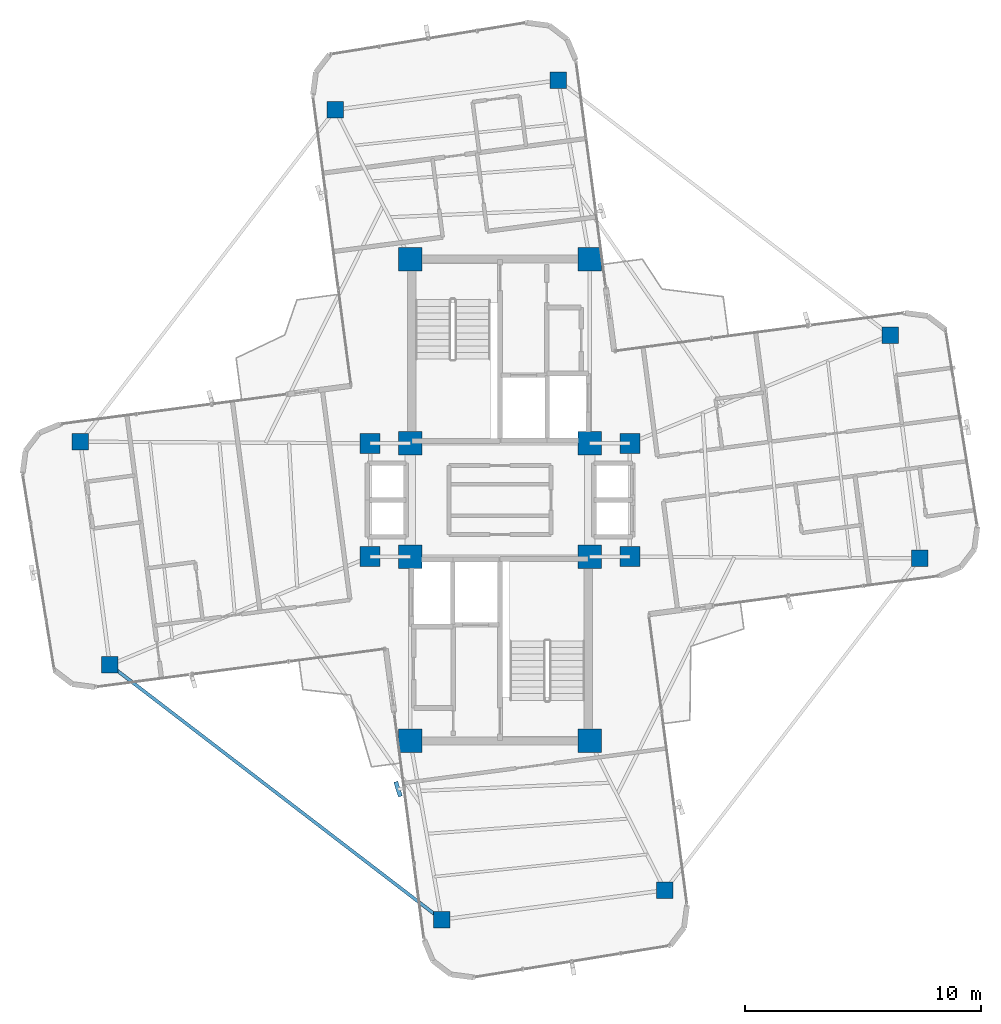
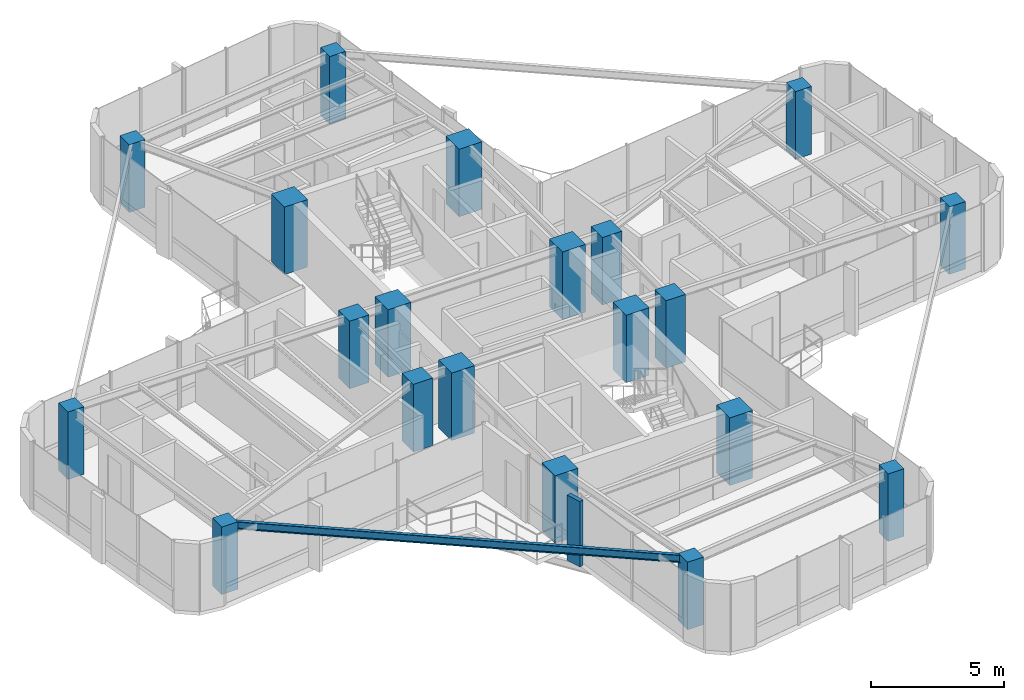
# One storey, part 1 of 22: 20 columns, 1 beam, 1 member, 1 element without a shape of its own.
"""IFC4 building model written with IfcOpenShell, lengths in metres."""

from ifc_helpers import new_model, si_unit, direction, frame, origin, origin_2d, place, context, subcontext, project, spatial, rectangle, i_section, extrude, source, transform, mapped, material, material_profile, profile_set, type_object, element, aggregate, save


model = new_model("IFC4")

# Units and contexts
model_context = context("Model", 3, precision=1e-05, world=origin(), true_north=direction((0.0, 1.0)))
body_context = subcontext(model_context, "Body", "Model", "MODEL_VIEW")
ifc_project = project(units=[si_unit("LENGTHUNIT", "METRE"), si_unit("AREAUNIT", "SQUARE_METRE"), si_unit("VOLUMEUNIT", "CUBIC_METRE"), si_unit("PLANEANGLEUNIT", "RADIAN"), si_unit("MASSUNIT", "GRAM", prefix="KILO")], contexts=[model_context])

# Site, building, storey
site_placement = place(None, origin())
site = spatial("IfcSite", under=ifc_project, at=site_placement, CompositionType="ELEMENT")
building_placement = place(site_placement, origin())
building = spatial("IfcBuilding", under=site, at=building_placement, Name="Sahyath Konkavel Grand Hotel", CompositionType="ELEMENT")
storey_placement = place(building_placement, frame((0.0, 0.0, 244.5)))
storey = spatial("IfcBuildingStorey", under=building, at=storey_placement, Name="L68", CompositionType="ELEMENT", Elevation=244.5)

# Columns
ifc_material_1 = material(Name="Concrete C50/60", Category="concrete")
ifc_material_profile_1 = material_profile(ifc_material_1, rectangle(XDim=1.0, YDim=1.0, at=origin_2d()), Name="RC 1000x1000")
ifc_profile_set_1 = profile_set([ifc_material_profile_1], Name="Concrete C50/60")
column_type_1 = type_object("IfcColumnType", Name="COL-RC1000", PredefinedType="COLUMN", material=ifc_profile_set_1)
shared_shape_1 = source(origin(), body_context, "Body", "SweptSolid", [
    extrude(rectangle(XDim=1.0, YDim=1.0, at=origin_2d()), origin(), (0.0, 0.0, 1.0), 3.110107421875),
])
for number, where, z_axis, x_axis, name in (
    (1, (-3.800048828125, 2.39990234375, 0.0), (0.0, 0.0, 1.0), (1.0, 0.0, 0.0), "L68 Core Boundary Column NC-SW"),
    (2, (3.800048828125, 2.39990234375, 0.0), (0.0, 0.0, 1.0), (1.0, 0.0, 0.0), "L68 Core Boundary Column NC-SE"),
    (3, (-3.800048828125, 10.199951171875, 0.0), (0.0, 0.0, 1.0), (1.0, 0.0, 0.0), "L68 Core Boundary Column NC-NW"),
    (4, (3.800048828125, 10.199951171875, 0.0), (0.0, 0.0, 1.0), (1.0, 0.0, 0.0), "L68 Core Boundary Column NC-NE"),
    (5, (-3.800048828125, -2.39990234375, 0.0), (0.0, 0.0, 1.0), (1.0, 0.0, 0.0), "L68 Core Boundary Column SC-NW"),
    (6, (3.800048828125, -2.39990234375, 0.0), (0.0, 0.0, 1.0), (1.0, 0.0, 0.0), "L68 Core Boundary Column SC-NE"),
    (7, (-3.800048828125, -10.199951171875, 0.0), (0.0, 0.0, 1.0), (1.0, 0.0, 0.0), "L68 Core Boundary Column SC-SW"),
    (8, (3.800048828125, -10.199951171875, 0.0), (0.0, 0.0, 1.0), (1.0, 0.0, 0.0), "L68 Core Boundary Column SC-SE"),
):
    element("IfcColumn", number, at=place(storey_placement, frame(where, z_axis=z_axis, x_axis=x_axis)), inside=storey, type_object=column_type_1, Name=name, PredefinedType="COLUMN", context=body_context, shape_type="MappedRepresentation", body=[
        mapped(shared_shape_1, transform((0.0, 0.0, 0.0), scale=1.0)),
    ])
ifc_material_2 = material(Name="Concrete C40/50", Category="concrete")
ifc_material_profile_2 = material_profile(ifc_material_2, rectangle(XDim=0.85009765625, YDim=0.85009765625, at=origin_2d()), Name="RC 850x850")
ifc_profile_set_2 = profile_set([ifc_material_profile_2], Name="Concrete C40/50")
column_type_2 = type_object("IfcColumnType", Name="COL-RC850", PredefinedType="COLUMN", material=ifc_profile_set_2)
shared_shape_2 = source(origin(), body_context, "Body", "SweptSolid", [
    extrude(rectangle(XDim=0.85009765625, YDim=0.85009765625, at=origin_2d()), origin(), (0.0, 0.0, 1.0), 3.110107421875),
])
for number, where, z_axis, x_axis, name in (
    (9, (5.5, 2.39990234375, 0.0), (0.0, 0.0, 1.0), (1.0, 0.0, 0.0), "L68 Central Spine Column HB-NE"),
    (10, (-5.5, 2.39990234375, 0.0), (0.0, 0.0, 1.0), (1.0, 0.0, 0.0), "L68 Central Spine Column HB-NW"),
    (11, (5.5, -2.39990234375, 0.0), (0.0, 0.0, 1.0), (1.0, 0.0, 0.0), "L68 Central Spine Column HB-SE"),
    (12, (-5.5, -2.39990234375, 0.0), (0.0, 0.0, 1.0), (1.0, 0.0, 0.0), "L68 Central Spine Column HB-SW"),
):
    element("IfcColumn", number, at=place(storey_placement, frame(where, z_axis=z_axis, x_axis=x_axis)), inside=storey, type_object=column_type_2, Name=name, PredefinedType="COLUMN", context=body_context, shape_type="MappedRepresentation", body=[
        mapped(shared_shape_2, transform((0.0, 0.0, 0.0), scale=1.0)),
    ])
ifc_material_profile_3 = material_profile(ifc_material_2, rectangle(XDim=0.699951171875, YDim=0.699951171875, at=origin_2d()), Name="RC 700x700")
ifc_profile_set_3 = profile_set([ifc_material_profile_3], Name="Concrete C40/50")
column_type_3 = type_object("IfcColumnType", Name="COL-RC700", PredefinedType="COLUMN", material=ifc_profile_set_3)
shared_shape_3 = source(origin(), body_context, "Body", "SweptSolid", [
    extrude(rectangle(XDim=0.699951171875, YDim=0.699951171875, at=origin_2d()), origin(), (0.0, 0.0, 1.0), 3.110107421875),
])
for number, where, z_axis, x_axis, name in (
    (13, (17.767333984375, -2.468994140625, 0.0), (0.0, 0.0, 1.0), (1.0, 0.0, 0.0), "L68 Cruciform Wing Column WC-EA"),
    (14, (16.522705078125, 6.9833984375, 0.0), (0.0, 0.0, 1.0), (1.0, 0.0, 0.0), "L68 Cruciform Wing Column WC-EB"),
    (15, (2.468994140625, 17.767333984375, 0.0), (0.0, 0.0, 1.0), (1.0, 0.0, 0.0), "L68 Cruciform Wing Column WC-NA"),
    (16, (-6.9833984375, 16.522705078125, 0.0), (0.0, 0.0, 1.0), (1.0, 0.0, 0.0), "L68 Cruciform Wing Column WC-NB"),
    (17, (-17.767333984375, 2.468994140625, 0.0), (0.0, 0.0, 1.0), (1.0, 0.0, 0.0), "L68 Cruciform Wing Column WC-WA"),
    (18, (-16.522705078125, -6.9833984375, 0.0), (0.0, 0.0, 1.0), (1.0, 0.0, 0.0), "L68 Cruciform Wing Column WC-WB"),
    (19, (-2.468994140625, -17.767333984375, 0.0), (0.0, 0.0, 1.0), (1.0, 0.0, 0.0), "L68 Cruciform Wing Column WC-SA"),
    (20, (6.9833984375, -16.522705078125, 0.0), (0.0, 0.0, 1.0), (1.0, 0.0, 0.0), "L68 Cruciform Wing Column WC-SB"),
):
    element("IfcColumn", number, at=place(storey_placement, frame(where, z_axis=z_axis, x_axis=x_axis)), inside=storey, type_object=column_type_3, Name=name, PredefinedType="COLUMN", context=body_context, shape_type="MappedRepresentation", body=[
        mapped(shared_shape_3, transform((0.0, 0.0, 0.0), scale=1.0)),
    ])

# Beam
ifc_material_3 = material(Name="Steel E350", Category="steel")
ifc_material_profile_4 = material_profile(ifc_material_3, i_section(OverallWidth=0.139892578125, OverallDepth=0.35009765625, WebThickness=0.008056640625, FlangeThickness=0.01416015625, FilletRadius=0.013916015625, at=origin_2d()), Name="ISMB 350")
ifc_profile_set_4 = profile_set([ifc_material_profile_4], Name="Steel E350")
beam_type = type_object("IfcBeamType", Name="BM-ISMB350", PredefinedType="BEAM", material=ifc_profile_set_4)
shared_shape_4 = source(origin(), body_context, "Body", "SweptSolid", [
    extrude(i_section(OverallWidth=0.139892578125, OverallDepth=0.35009765625, WebThickness=0.008056640625, FlangeThickness=0.01416015625, FilletRadius=0.013916015625, at=origin_2d()), origin(), (0.0, 0.0, 1.0), 17.71435546875),
])
beam_placement = place(storey_placement, frame((-16.522705078125, -6.9833984375, 2.93505859375), z_axis=(0.793349418007, -0.608766540595, 0.0), x_axis=(0.608766540595, 0.793349418007, 0.0)))
element("IfcBeam", 21, at=beam_placement, inside=storey, type_object=beam_type, Name="L68 Re-Entrant Tie Beam SW", PredefinedType="BEAM", context=body_context, shape_type="MappedRepresentation", body=[
    mapped(shared_shape_4, transform((0.0, 0.0, 0.0), scale=1.0)),
])

# Curtain wall, member
ifc_material_4 = material(Name="Anodised Bronze Aluminium & Low-E Glazing", Category="aluminium")
curtain_wall_type = type_object("IfcCurtainWallType", Name="CW-ZONE4", PredefinedType="NOTDEFINED", material=ifc_material_4)
curtain_wall_placement = place(storey_placement, origin())
curtain_wall = element("IfcCurtainWall", 22, at=curtain_wall_placement, inside=storey, type_object=curtain_wall_type, Name="L68 Unitised Curtain Wall F24", PredefinedType="NOTDEFINED")
ifc_material_5 = material(Name="Warm Buff Sandstone Cladding on Concrete C50/60", Category="masonry")
ifc_material_profile_5 = material_profile(ifc_material_5, rectangle(XDim=0.179931640625, YDim=0.64990234375, at=origin_2d()), Name="FIN 180x650")
ifc_profile_set_5 = profile_set([ifc_material_profile_5], Name="Warm Buff Sandstone Cladding on Concrete C50/60")
member_type = type_object("IfcMemberType", Name="FIN-SANDSTONE-650", PredefinedType="MULLION", material=ifc_profile_set_5)
shared_shape_5 = source(origin(), body_context, "Body", "SweptSolid", [
    extrude(rectangle(XDim=0.179931640625, YDim=0.64990234375, at=origin_2d()), origin(), (0.0, 0.0, 1.0), 3.010009765625),
])
member_placement = place(storey_placement, frame((-4.31640625, -12.240478515625, 0.050048828125), z_axis=(0.0, 0.0, 1.0), x_axis=(0.953032216634, 0.302868938746, 0.0)))
member = element("IfcMember", 23, at=member_placement, type_object=member_type, Name="L68 Sandstone Vertical Solar Fin FIN F24-1", PredefinedType="MULLION", context=body_context, shape_type="MappedRepresentation", body=[
    mapped(shared_shape_5, transform((0.0, 0.0, 0.0), scale=1.0)),
])
aggregate(curtain_wall, [member])

save(model, "model.ifc")
